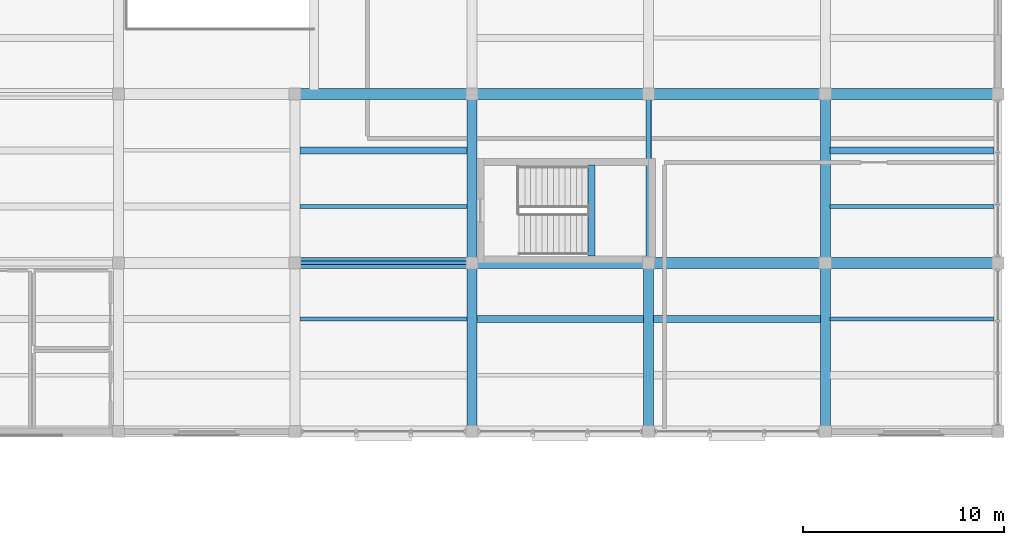
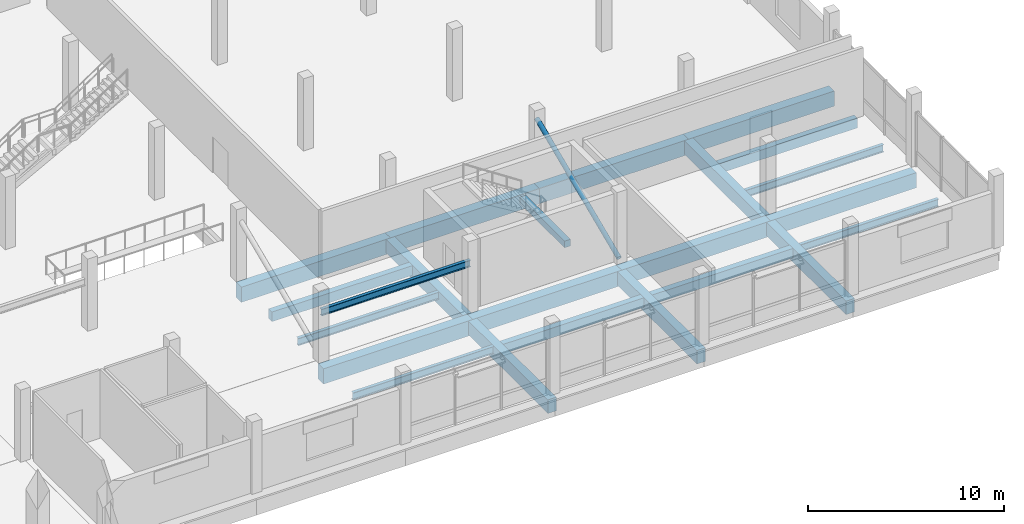
# One storey, part 51 of 77: 23 beams, 1 member.
"""IFC4 building model written with IfcOpenShell, lengths in metres."""

import ifcopenshell
import ifcopenshell.guid

model = None  # the IFC model being written
_history = None  # IfcOwnerHistory: only IFC2X3 demands one
_inside = {}  # id of a spatial element -> (the spatial element, [elements in it])
_under = {}  # id of a project, library or spatial element -> (it, [spatial elements below it])
_declared = {}  # id of a project -> (the project, [libraries it declares])
_typed = {}  # id of a type object -> (the type object, [elements of that type])
_made_of = {}  # id of a material, layer set ... -> (it, [elements and type objects made of it])


def new_model(schema):
    """Start an empty IFC model of exactly this schema.

    Asked for "IFC4X3", IfcOpenShell would pick the latest addendum, in which some entities
    have other attributes; the version numbers below select the first issue.
    IFC2X3 requires an IfcOwnerHistory on every rooted entity: one is made here for all.
    """
    global model, _history
    if schema == "IFC4X3":
        model = ifcopenshell.file(schema_version=(4, 3, 0, 0))
    else:
        model = ifcopenshell.file(schema=schema)
    _inside.clear()
    _under.clear()
    _declared.clear()
    _typed.clear()
    _made_of.clear()
    _history = None
    if model.schema == "IFC2X3":
        org = make("IfcOrganization", Name="unknown")
        user = make(
            "IfcPersonAndOrganization",
            ThePerson=make("IfcPerson", FamilyName="unknown"),
            TheOrganization=org,
        )
        app = make(
            "IfcApplication",
            ApplicationDeveloper=org,
            Version="unknown",
            ApplicationFullName="unknown",
            ApplicationIdentifier="unknown",
        )
        _history = make(
            "IfcOwnerHistory",
            OwningUser=user,
            OwningApplication=app,
            ChangeAction="ADDED",
            CreationDate=0,
        )
    return model


def make(cls, **values):
    """One entity of the class cls with the attributes given. An attribute that is None is left unset."""
    return model.create_entity(
        cls, **{name: value for name, value in values.items() if value is not None}
    )


def rooted(cls, **values):
    """An entity with a GlobalId (a new one), such as an element, a storey or a relation."""
    return make(cls, GlobalId=ifcopenshell.guid.new(), OwnerHistory=_history, **values)


def si_unit(unit_type, name, prefix=None):
    """IfcSIUnit, for example si_unit("LENGTHUNIT", "METRE", prefix="MILLI")."""
    return make("IfcSIUnit", UnitType=unit_type, Prefix=prefix, Name=name)


def assignment(units):
    """IfcUnitAssignment: the units of a project."""
    return None if units is None else make("IfcUnitAssignment", Units=units)


def point(xyz):
    """IfcCartesianPoint."""
    return None if xyz is None else make("IfcCartesianPoint", Coordinates=xyz)


def direction(xyz):
    """IfcDirection."""
    return None if xyz is None else make("IfcDirection", DirectionRatios=xyz)


def frame(location, z_axis=None, x_axis=None):
    """IfcAxis2Placement3D, a coordinate frame: its origin and axes. An axis left out is left unset."""
    return make(
        "IfcAxis2Placement3D",
        Location=point(location),
        Axis=direction(z_axis),
        RefDirection=direction(x_axis),
    )


def frame_2d(location, x_axis=None):
    """IfcAxis2Placement2D, a coordinate frame in the plane: its origin and x axis."""
    return make(
        "IfcAxis2Placement2D", Location=point(location), RefDirection=direction(x_axis)
    )


def origin():
    """The frame at (0, 0, 0) with its axes left unset."""
    return frame((0.0, 0.0, 0.0))


def origin_2d():
    """The frame at (0, 0) in the plane with its x axis left unset."""
    return frame_2d((0.0, 0.0))


def place(relative_to, where):
    """IfcLocalPlacement: puts the frame where relative to a parent placement (None: the world)."""
    return make(
        "IfcLocalPlacement", PlacementRelTo=relative_to, RelativePlacement=where
    )


def context(
    kind, dimensions, precision=None, world=None, true_north=None, identifier=None
):
    """IfcGeometricRepresentationContext, for example the 3D "Model" context."""
    return make(
        "IfcGeometricRepresentationContext",
        ContextIdentifier=identifier,
        ContextType=kind,
        CoordinateSpaceDimension=dimensions,
        Precision=precision,
        WorldCoordinateSystem=world,
        TrueNorth=true_north,
    )


def subcontext(parent, identifier, kind, view, scale=None):
    """IfcGeometricRepresentationSubContext, for example "Body" below "Model"."""
    return make(
        "IfcGeometricRepresentationSubContext",
        ContextIdentifier=identifier,
        ContextType=kind,
        ParentContext=parent,
        TargetScale=scale,
        TargetView=view,
    )


def project(units=None, contexts=None):
    """IfcProject with its units and contexts."""
    return rooted(
        "IfcProject",
        Name="project",
        RepresentationContexts=contexts,
        UnitsInContext=assignment(units),
    )


def spatial(cls, under=None, at=None, **own):
    """A site, building, storey or space (cls), placed at a placement, below another one or the project."""
    s = rooted(cls, ObjectPlacement=at, **own)
    if under is not None:
        _under.setdefault(under.id(), (under, []))[1].append(s)
    return s


def profile(cls, at=None, kind="AREA", **sizes):
    """A parametric profile (cls). Its sizes go by their IFC names, for example OverallWidth=200.0."""
    return make(cls, ProfileType=kind, Position=at, **sizes)


def rectangle(**sizes):
    """IfcRectangleProfileDef."""
    return profile("IfcRectangleProfileDef", **sizes)


def hollow_circle(**sizes):
    """IfcCircleHollowProfileDef."""
    return profile("IfcCircleHollowProfileDef", **sizes)


def i_section(**sizes):
    """IfcIShapeProfileDef."""
    return profile("IfcIShapeProfileDef", **sizes)


def extrude(swept, where, along, depth):
    """IfcExtrudedAreaSolid: the profile swept, set in the frame where, extruded along a direction by depth."""
    return make(
        "IfcExtrudedAreaSolid",
        SweptArea=swept,
        Position=where,
        ExtrudedDirection=direction(along),
        Depth=depth,
    )


def shape(context_of_items, identifier, shape_type, items):
    """IfcShapeRepresentation: the items that make up one representation, for example the "Body"."""
    return make(
        "IfcShapeRepresentation",
        ContextOfItems=context_of_items,
        RepresentationIdentifier=identifier,
        RepresentationType=shape_type,
        Items=items,
    )


def material(Name=None, Category=None):
    """IfcMaterial."""
    return make("IfcMaterial", Name=Name, Category=Category)


def material_profile(
    of_material, cross_section, Name=None, Category=None, Priority=None
):
    """IfcMaterialProfile: a cross section and its material."""
    return make(
        "IfcMaterialProfile",
        Name=Name,
        Material=of_material,
        Profile=cross_section,
        Priority=Priority,
        Category=Category,
    )


def profile_set(profiles, Name=None, composite=None):
    """IfcMaterialProfileSet."""
    return make(
        "IfcMaterialProfileSet",
        Name=Name,
        MaterialProfiles=profiles,
        CompositeProfile=composite,
    )


def made_of(thing, what):
    """Note that an element or type object is made of a material, layer set ...; save() writes the relation."""
    if what is not None:
        _made_of.setdefault(what.id(), (what, []))[1].append(thing)
    return thing


def type_object(cls, material=None, **own):
    """A type object (cls), such as IfcWallType, which elements share."""
    return made_of(rooted(cls, **own), material)


def element(
    cls,
    number,
    at=None,
    inside=None,
    cuts=None,
    type_object=None,
    material=None,
    context=None,
    identifier="Body",
    shape_type=None,
    held_by="IfcProductDefinitionShape",
    body=None,
    shapes=None,
    **own,
):
    """One element of the class cls, such as IfcWall. Its Tag is "e" and its number.

    at: its placement. inside: the storey or other place that contains it. cuts: it is an
    opening in that element (IfcRelVoidsElement). A single representation is given by context,
    identifier, shape_type and body (its items); several are given by shapes. held_by: the class
    of the entity that holds the representations. save() writes the other relations.
    """
    e = rooted(cls, Tag="e%d" % number, ObjectPlacement=at, **own)
    if body is not None:
        shapes = [shape(context, identifier, shape_type, body)]
    if shapes is not None:
        e.Representation = make(held_by, Representations=shapes)
    if inside is not None:
        _inside.setdefault(inside.id(), (inside, []))[1].append(e)
    if cuts is not None:
        rooted(
            "IfcRelVoidsElement", RelatingBuildingElement=cuts, RelatedOpeningElement=e
        )
    if type_object is not None:
        _typed.setdefault(type_object.id(), (type_object, []))[1].append(e)
    return made_of(e, material)


def aggregate(whole, parts):
    """IfcRelAggregates: a whole, such as a stair, and the parts it consists of."""
    return rooted("IfcRelAggregates", RelatingObject=whole, RelatedObjects=parts)


def save(model, path):
    """Write the relations noted so far, then the file.

    IfcRelAggregates (storeys below a building ...), IfcRelContainedInSpatialStructure (elements
    in a storey), IfcRelDefinesByType, IfcRelAssociatesMaterial and IfcRelDeclares: one each for
    every whole, place, type object, material and project.
    """
    for whole, parts in _under.values():
        aggregate(whole, parts)
    for where, things in _inside.values():
        rooted(
            "IfcRelContainedInSpatialStructure",
            RelatedElements=things,
            RelatingStructure=where,
        )
    for kind, things in _typed.values():
        rooted("IfcRelDefinesByType", RelatedObjects=things, RelatingType=kind)
    for what, things in _made_of.values():
        rooted("IfcRelAssociatesMaterial", RelatedObjects=things, RelatingMaterial=what)
    for by, libraries in _declared.values():
        rooted("IfcRelDeclares", RelatingContext=by, RelatedDefinitions=libraries)
    model.write(path)


model = new_model("IFC4")

# Units and contexts
model_context = context("Model", 3, precision=1e-05, world=origin(), true_north=direction((0.0, 1.0)))
body_context = subcontext(model_context, "Body", "Model", "MODEL_VIEW")
ifc_project = project(units=[si_unit("LENGTHUNIT", "METRE"), si_unit("AREAUNIT", "SQUARE_METRE"), si_unit("VOLUMEUNIT", "CUBIC_METRE"), si_unit("PLANEANGLEUNIT", "RADIAN"), si_unit("MASSUNIT", "GRAM", prefix="KILO")], contexts=[model_context])

# Site, building, storey
site_placement = place(None, origin())
site = spatial("IfcSite", under=ifc_project, at=site_placement, CompositionType="ELEMENT")
building_placement = place(site_placement, origin())
building = spatial("IfcBuilding", under=site, at=building_placement, Name="Meriwether Solvik Hall", CompositionType="ELEMENT")
storey_placement = place(building_placement, frame((0.0, 0.0, 9.89990234375)))
storey = spatial("IfcBuildingStorey", under=building, at=storey_placement, Name="L02", CompositionType="ELEMENT", Elevation=9.89990234375)

# Beams
ifc_material_1 = material(Name="Concrete C40/50", Category="concrete")
ifc_material_profile_1 = material_profile(ifc_material_1, rectangle(XDim=0.35009765625, YDim=0.419921875, at=origin_2d()), Name="RCB-350X420")
ifc_profile_set_1 = profile_set([ifc_material_profile_1], Name="Concrete C40/50")
beam_type_1 = type_object("IfcBeamType", Name="BM-LND-RC-350X420", PredefinedType="BEAM", material=ifc_profile_set_1)
beam_1_placement = place(storey_placement, frame((146.550048828125, 58.72998046875, 1.840087890625), z_axis=(0.0, 1.0, 0.0), x_axis=(-1.0, 0.0, 0.0)))
element("IfcBeam", 1, at=beam_1_placement, inside=storey, type_object=beam_type_1, Name="Stair ST-05 Half-Landing Header Beam (L02)", PredefinedType="BEAM", context=body_context, shape_type="SweptSolid", body=[
    extrude(rectangle(XDim=0.35009765625, YDim=0.419921875, at=origin_2d()), origin(), (0.0, 0.0, 1.0), 4.5400390625),
])
ifc_material_2 = material(Name="Concrete C40/50", Category="concrete")
ifc_material_profile_2 = material_profile(ifc_material_2, rectangle(XDim=0.35009765625, YDim=0.60009765625, at=origin_2d()), Name="RCB-350X600")
ifc_profile_set_2 = profile_set([ifc_material_profile_2], Name="Concrete C40/50")
beam_type_2 = type_object("IfcBeamType", Name="BM-RC-350X600", PredefinedType="JOIST", material=ifc_profile_set_2)
for number, where, z_axis, x_axis, name in (
    (2, (132.044921875, 64.0, -0.75), (1.0, 0.0, 0.0), (0.0, 1.0, 0.0), "Secondary Floor Joist 15/G_J2 (L02)"),
    (3, (140.844970703125, 55.60009765625, -0.75), (1.0, 0.0, 0.0), (0.0, 1.0, 0.0), "Secondary Floor Joist 16/F_J2 (L02)"),
    (4, (149.64501953125, 55.60009765625, -0.75), (1.0, 0.0, 0.0), (0.0, 1.0, 0.0), "Secondary Floor Joist 17/F_J2 (L02)"),
):
    element("IfcBeam", number, at=place(storey_placement, frame(where, z_axis=z_axis, x_axis=x_axis)), inside=storey, type_object=beam_type_2, Name=name, PredefinedType="JOIST", context=body_context, shape_type="SweptSolid", body=[
        extrude(rectangle(XDim=0.35009765625, YDim=0.60009765625, at=origin_2d()), origin(), (0.0, 0.0, 1.0), 8.31005859375),
    ])
beam_2_placement = place(storey_placement, frame((158.445068359375, 64.0, -0.75), z_axis=(1.0, 0.0, 0.0), x_axis=(0.0, 1.0, 0.0)))
element("IfcBeam", 5, at=beam_2_placement, inside=storey, type_object=beam_type_2, Name="Secondary Floor Joist 18/G_J2 (L02)", PredefinedType="JOIST", context=body_context, shape_type="SweptSolid", body=[
    extrude(rectangle(XDim=0.35009765625, YDim=0.60009765625, at=origin_2d()), origin(), (0.0, 0.0, 1.0), 8.159912109375),
])
ifc_material_3 = material(Name="Concrete C40/50", Category="concrete")
ifc_material_profile_3 = material_profile(ifc_material_3, rectangle(XDim=0.5, YDim=0.85009765625, at=origin_2d()), Name="RCB-500X850")
ifc_profile_set_3 = profile_set([ifc_material_profile_3], Name="Concrete C40/50")
beam_type_3 = type_object("IfcBeamType", Name="BM-RC-500X850", PredefinedType="BEAM", material=ifc_profile_set_3)
beam_3_placement = place(storey_placement, frame((140.60009765625, 50.0, -0.875), z_axis=(0.0, 1.0, 0.0), x_axis=(-1.0, 0.0, 0.0)))
element("IfcBeam", 6, at=beam_3_placement, inside=storey, type_object=beam_type_3, Name="Podium Girder 16:F-G (L02)", PredefinedType="BEAM", context=body_context, shape_type="SweptSolid", body=[
    extrude(rectangle(XDim=0.5, YDim=0.85009765625, at=origin_2d()), origin(), (0.0, 0.0, 1.0), 8.39990234375),
])
beam_4_placement = place(storey_placement, frame((140.60009765625, 58.39990234375, -0.875), z_axis=(0.0, 1.0, 0.0), x_axis=(-1.0, 0.0, 0.0)))
element("IfcBeam", 7, at=beam_4_placement, inside=storey, type_object=beam_type_3, Name="Podium Girder 16:G-H (L02)", PredefinedType="BEAM", context=body_context, shape_type="SweptSolid", body=[
    extrude(rectangle(XDim=0.5, YDim=0.85009765625, at=origin_2d()), origin(), (0.0, 0.0, 1.0), 8.400146484375),
])
for number, where, z_axis, x_axis, name in (
    (8, (149.39990234375, 50.0, -0.875), (0.0, 1.0, 0.0), (-1.0, 0.0, 0.0), "Podium Girder 17:F-G (L02)"),
    (9, (158.199951171875, 50.0, -0.875), (0.0, 1.0, 0.0), (-1.0, 0.0, 0.0), "Podium Girder 18:F-G (L02)"),
):
    element("IfcBeam", number, at=place(storey_placement, frame(where, z_axis=z_axis, x_axis=x_axis)), inside=storey, type_object=beam_type_3, Name=name, PredefinedType="BEAM", context=body_context, shape_type="SweptSolid", body=[
        extrude(rectangle(XDim=0.5, YDim=0.85009765625, at=origin_2d()), origin(), (0.0, 0.0, 1.0), 8.39990234375),
    ])
beam_5_placement = place(storey_placement, frame((158.199951171875, 58.39990234375, -0.875), z_axis=(0.0, 1.0, 0.0), x_axis=(-1.0, 0.0, 0.0)))
element("IfcBeam", 10, at=beam_5_placement, inside=storey, type_object=beam_type_3, Name="Podium Girder 18:G-H (L02)", PredefinedType="BEAM", context=body_context, shape_type="SweptSolid", body=[
    extrude(rectangle(XDim=0.5, YDim=0.85009765625, at=origin_2d()), origin(), (0.0, 0.0, 1.0), 8.400146484375),
])
ifc_material_4 = material(Name="Concrete C40/50", Category="concrete")
ifc_material_profile_4 = material_profile(ifc_material_4, rectangle(XDim=0.550048828125, YDim=0.949951171875, at=origin_2d()), Name="RCB-550X950")
ifc_profile_set_4 = profile_set([ifc_material_profile_4], Name="Concrete C40/50")
beam_type_4 = type_object("IfcBeamType", Name="BM-RC-550X950", PredefinedType="BEAM", material=ifc_profile_set_4)
beam_6_placement = place(storey_placement, frame((131.800048828125, 58.39990234375, -0.9248046875), z_axis=(1.0, 0.0, 0.0), x_axis=(0.0, 1.0, 0.0)))
element("IfcBeam", 11, at=beam_6_placement, inside=storey, type_object=beam_type_4, Name="Podium Girder G:15-16 (L02)", PredefinedType="BEAM", context=body_context, shape_type="SweptSolid", body=[
    extrude(rectangle(XDim=0.550048828125, YDim=0.949951171875, at=origin_2d()), origin(), (0.0, 0.0, 1.0), 8.800048828125),
])
beam_7_placement = place(storey_placement, frame((140.60009765625, 58.39990234375, -0.9248046875), z_axis=(1.0, 0.0, 0.0), x_axis=(0.0, 1.0, 0.0)))
element("IfcBeam", 12, at=beam_7_placement, inside=storey, type_object=beam_type_4, Name="Podium Girder G:16-17 (L02)", PredefinedType="BEAM", context=body_context, shape_type="SweptSolid", body=[
    extrude(rectangle(XDim=0.550048828125, YDim=0.949951171875, at=origin_2d()), origin(), (0.0, 0.0, 1.0), 8.7998046875),
])
beam_8_placement = place(storey_placement, frame((149.39990234375, 58.39990234375, -0.9248046875), z_axis=(1.0, 0.0, 0.0), x_axis=(0.0, 1.0, 0.0)))
element("IfcBeam", 13, at=beam_8_placement, inside=storey, type_object=beam_type_4, Name="Podium Girder G:17-18 (L02)", PredefinedType="BEAM", context=body_context, shape_type="SweptSolid", body=[
    extrude(rectangle(XDim=0.550048828125, YDim=0.949951171875, at=origin_2d()), origin(), (0.0, 0.0, 1.0), 8.800048828125),
])
beam_9_placement = place(storey_placement, frame((158.199951171875, 58.39990234375, -0.9248046875), z_axis=(1.0, 0.0, 0.0), x_axis=(0.0, 1.0, 0.0)))
element("IfcBeam", 14, at=beam_9_placement, inside=storey, type_object=beam_type_4, Name="Podium Girder G:18-19 (L02)", PredefinedType="BEAM", context=body_context, shape_type="SweptSolid", body=[
    extrude(rectangle(XDim=0.550048828125, YDim=0.949951171875, at=origin_2d()), origin(), (0.0, 0.0, 1.0), 8.60009765625),
])
beam_10_placement = place(storey_placement, frame((131.800048828125, 66.800048828125, -0.9248046875), z_axis=(1.0, 0.0, 0.0), x_axis=(0.0, 1.0, 0.0)))
element("IfcBeam", 15, at=beam_10_placement, inside=storey, type_object=beam_type_4, Name="Podium Girder H:15-16 (L02)", PredefinedType="BEAM", context=body_context, shape_type="SweptSolid", body=[
    extrude(rectangle(XDim=0.550048828125, YDim=0.949951171875, at=origin_2d()), origin(), (0.0, 0.0, 1.0), 8.800048828125),
])
beam_11_placement = place(storey_placement, frame((140.60009765625, 66.800048828125, -0.9248046875), z_axis=(1.0, 0.0, 0.0), x_axis=(0.0, 1.0, 0.0)))
element("IfcBeam", 16, at=beam_11_placement, inside=storey, type_object=beam_type_4, Name="Podium Girder H:16-17 (L02)", PredefinedType="BEAM", context=body_context, shape_type="SweptSolid", body=[
    extrude(rectangle(XDim=0.550048828125, YDim=0.949951171875, at=origin_2d()), origin(), (0.0, 0.0, 1.0), 8.7998046875),
])
beam_12_placement = place(storey_placement, frame((149.39990234375, 66.800048828125, -0.9248046875), z_axis=(1.0, 0.0, 0.0), x_axis=(0.0, 1.0, 0.0)))
element("IfcBeam", 17, at=beam_12_placement, inside=storey, type_object=beam_type_4, Name="Podium Girder H:17-18 (L02)", PredefinedType="BEAM", context=body_context, shape_type="SweptSolid", body=[
    extrude(rectangle(XDim=0.550048828125, YDim=0.949951171875, at=origin_2d()), origin(), (0.0, 0.0, 1.0), 8.800048828125),
])
beam_13_placement = place(storey_placement, frame((158.199951171875, 66.800048828125, -0.9248046875), z_axis=(1.0, 0.0, 0.0), x_axis=(0.0, 1.0, 0.0)))
element("IfcBeam", 18, at=beam_13_placement, inside=storey, type_object=beam_type_4, Name="Podium Girder H:18-19 (L02)", PredefinedType="BEAM", context=body_context, shape_type="SweptSolid", body=[
    extrude(rectangle(XDim=0.550048828125, YDim=0.949951171875, at=origin_2d()), origin(), (0.0, 0.0, 1.0), 8.60009765625),
])
ifc_material_5 = material(Name="Steel A992 Grade 50", Category="steel")
ifc_material_profile_5 = material_profile(ifc_material_5, i_section(OverallWidth=0.180908203125, OverallDepth=0.4169921875, WebThickness=0.010986328125, FlangeThickness=0.018310546875, at=origin_2d()), Name="W16X57")
ifc_profile_set_5 = profile_set([ifc_material_profile_5], Name="Steel A992 Grade 50")
beam_type_5 = type_object("IfcBeamType", Name="BM-STL-W16X57", PredefinedType="LINTEL", material=ifc_profile_set_5)
beam_14_placement = place(storey_placement, frame((131.800048828125, 58.39990234375, 2.941650390625), z_axis=(1.0, 0.0, 0.0), x_axis=(0.0, 1.0, 0.0)))
element("IfcBeam", 19, at=beam_14_placement, inside=storey, type_object=beam_type_5, Name="Galleria Portal Lintel G:15-16 (L02)", PredefinedType="LINTEL", context=body_context, shape_type="SweptSolid", body=[
    extrude(i_section(OverallWidth=0.180908203125, OverallDepth=0.4169921875, WebThickness=0.010986328125, FlangeThickness=0.018310546875, at=origin_2d()), origin(), (0.0, 0.0, 1.0), 8.800048828125),
])
ifc_material_6 = material(Name="Steel A992 Grade 50", Category="steel")
ifc_material_profile_6 = material_profile(ifc_material_6, i_section(OverallWidth=0.19091796875, OverallDepth=0.45703125, WebThickness=0.009033203125, FlangeThickness=0.014404296875, at=origin_2d()), Name="W18X50")
ifc_profile_set_6 = profile_set([ifc_material_profile_6], Name="Steel A992 Grade 50")
beam_type_6 = type_object("IfcBeamType", Name="BM-STL-W18X50", PredefinedType="JOIST", material=ifc_profile_set_6)
for number, where, z_axis, x_axis, name in (
    (20, (132.044921875, 55.60009765625, -0.678466796875), (1.0, 0.0, 0.0), (0.0, 1.0, 0.0), "Secondary Floor Joist 15/F_J2 (L02)"),
    (21, (132.044921875, 61.199951171875, -0.678466796875), (1.0, 0.0, 0.0), (0.0, 1.0, 0.0), "Secondary Floor Joist 15/G_J1 (L02)"),
):
    element("IfcBeam", number, at=place(storey_placement, frame(where, z_axis=z_axis, x_axis=x_axis)), inside=storey, type_object=beam_type_6, Name=name, PredefinedType="JOIST", context=body_context, shape_type="SweptSolid", body=[
        extrude(i_section(OverallWidth=0.19091796875, OverallDepth=0.45703125, WebThickness=0.009033203125, FlangeThickness=0.014404296875, at=origin_2d()), origin(), (0.0, 0.0, 1.0), 8.31005859375),
    ])
for number, where, z_axis, x_axis, name in (
    (22, (158.445068359375, 55.60009765625, -0.678466796875), (1.0, 0.0, 0.0), (0.0, 1.0, 0.0), "Secondary Floor Joist 18/F_J2 (L02)"),
    (23, (158.445068359375, 61.199951171875, -0.678466796875), (1.0, 0.0, 0.0), (0.0, 1.0, 0.0), "Secondary Floor Joist 18/G_J1 (L02)"),
):
    element("IfcBeam", number, at=place(storey_placement, frame(where, z_axis=z_axis, x_axis=x_axis)), inside=storey, type_object=beam_type_6, Name=name, PredefinedType="JOIST", context=body_context, shape_type="SweptSolid", body=[
        extrude(i_section(OverallWidth=0.19091796875, OverallDepth=0.45703125, WebThickness=0.009033203125, FlangeThickness=0.014404296875, at=origin_2d()), origin(), (0.0, 0.0, 1.0), 8.159912109375),
    ])

# Member
ifc_material_7 = material(Name="Steel A500 Grade C", Category="steel")
ifc_material_profile_7 = material_profile(ifc_material_7, hollow_circle(Radius=0.136474609375, WallThickness=0.0126953125, at=origin_2d()), Name="CHS273X12.7")
ifc_profile_set_7 = profile_set([ifc_material_profile_7], Name="Steel A500 Grade C")
member_type = type_object("IfcMemberType", Name="MEM-BR-CHS273", PredefinedType="BRACE", material=ifc_profile_set_7)
member_placement = place(storey_placement, frame((149.39990234375, 58.39990234375, 0.150146484375), z_axis=(0.0, 0.918950131749, 0.394373750848), x_axis=(-1.0, 0.0, 0.0)))
element("IfcMember", 24, at=member_placement, inside=storey, type_object=member_type, Name="Podium Diagonal Brace L02-PB4", PredefinedType="BRACE", context=body_context, shape_type="SweptSolid", body=[
    extrude(hollow_circle(Radius=0.136474609375, WallThickness=0.0126953125, at=origin_2d()), origin(), (0.0, 0.0, 1.0), 9.14111328125),
])

save(model, "model.ifc")
